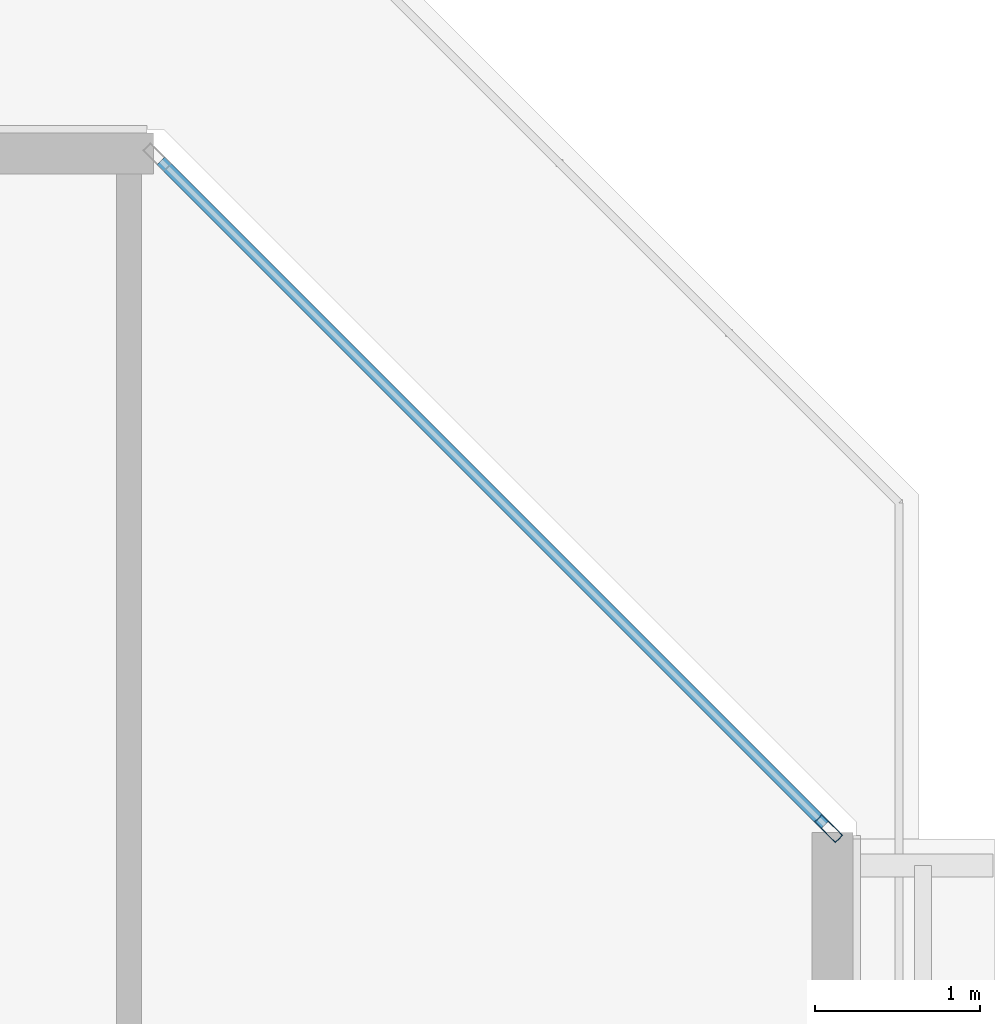
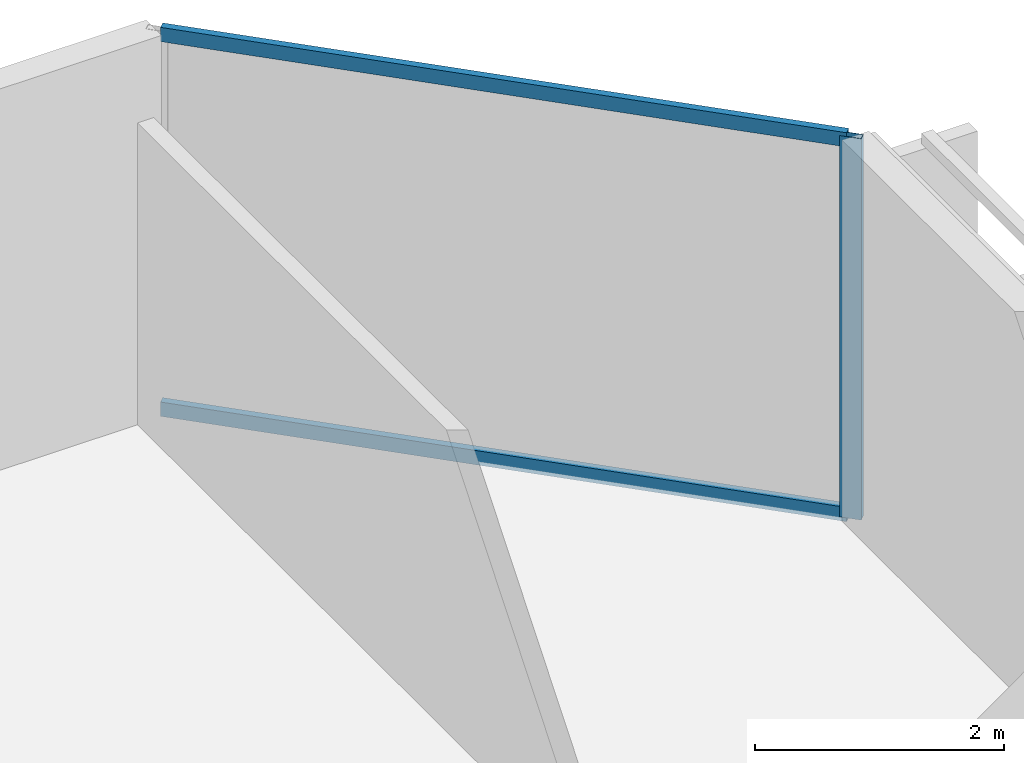
# One storey, part 24 of 38: 3 members, 1 element without a shape of its own.
"""IFC4 building model written with IfcOpenShell, lengths in metres."""

import ifcopenshell
import ifcopenshell.guid

model = None  # the IFC model being written
_history = None  # IfcOwnerHistory: only IFC2X3 demands one
_inside = {}  # id of a spatial element -> (the spatial element, [elements in it])
_under = {}  # id of a project, library or spatial element -> (it, [spatial elements below it])
_declared = {}  # id of a project -> (the project, [libraries it declares])
_typed = {}  # id of a type object -> (the type object, [elements of that type])
_made_of = {}  # id of a material, layer set ... -> (it, [elements and type objects made of it])


def new_model(schema):
    """Start an empty IFC model of exactly this schema.

    Asked for "IFC4X3", IfcOpenShell would pick the latest addendum, in which some entities
    have other attributes; the version numbers below select the first issue.
    IFC2X3 requires an IfcOwnerHistory on every rooted entity: one is made here for all.
    """
    global model, _history
    if schema == "IFC4X3":
        model = ifcopenshell.file(schema_version=(4, 3, 0, 0))
    else:
        model = ifcopenshell.file(schema=schema)
    _inside.clear()
    _under.clear()
    _declared.clear()
    _typed.clear()
    _made_of.clear()
    _history = None
    if model.schema == "IFC2X3":
        org = make("IfcOrganization", Name="unknown")
        user = make(
            "IfcPersonAndOrganization",
            ThePerson=make("IfcPerson", FamilyName="unknown"),
            TheOrganization=org,
        )
        app = make(
            "IfcApplication",
            ApplicationDeveloper=org,
            Version="unknown",
            ApplicationFullName="unknown",
            ApplicationIdentifier="unknown",
        )
        _history = make(
            "IfcOwnerHistory",
            OwningUser=user,
            OwningApplication=app,
            ChangeAction="ADDED",
            CreationDate=0,
        )
    return model


def make(cls, **values):
    """One entity of the class cls with the attributes given. An attribute that is None is left unset."""
    return model.create_entity(
        cls, **{name: value for name, value in values.items() if value is not None}
    )


def rooted(cls, **values):
    """An entity with a GlobalId (a new one), such as an element, a storey or a relation."""
    return make(cls, GlobalId=ifcopenshell.guid.new(), OwnerHistory=_history, **values)


def si_unit(unit_type, name, prefix=None):
    """IfcSIUnit, for example si_unit("LENGTHUNIT", "METRE", prefix="MILLI")."""
    return make("IfcSIUnit", UnitType=unit_type, Prefix=prefix, Name=name)


def assignment(units):
    """IfcUnitAssignment: the units of a project."""
    return None if units is None else make("IfcUnitAssignment", Units=units)


def point(xyz):
    """IfcCartesianPoint."""
    return None if xyz is None else make("IfcCartesianPoint", Coordinates=xyz)


def direction(xyz):
    """IfcDirection."""
    return None if xyz is None else make("IfcDirection", DirectionRatios=xyz)


def frame(location, z_axis=None, x_axis=None):
    """IfcAxis2Placement3D, a coordinate frame: its origin and axes. An axis left out is left unset."""
    return make(
        "IfcAxis2Placement3D",
        Location=point(location),
        Axis=direction(z_axis),
        RefDirection=direction(x_axis),
    )


def frame_2d(location, x_axis=None):
    """IfcAxis2Placement2D, a coordinate frame in the plane: its origin and x axis."""
    return make(
        "IfcAxis2Placement2D", Location=point(location), RefDirection=direction(x_axis)
    )


def origin():
    """The frame at (0, 0, 0) with its axes left unset."""
    return frame((0.0, 0.0, 0.0))


def origin_2d():
    """The frame at (0, 0) in the plane with its x axis left unset."""
    return frame_2d((0.0, 0.0))


def place(relative_to, where):
    """IfcLocalPlacement: puts the frame where relative to a parent placement (None: the world)."""
    return make(
        "IfcLocalPlacement", PlacementRelTo=relative_to, RelativePlacement=where
    )


def context(
    kind, dimensions, precision=None, world=None, true_north=None, identifier=None
):
    """IfcGeometricRepresentationContext, for example the 3D "Model" context."""
    return make(
        "IfcGeometricRepresentationContext",
        ContextIdentifier=identifier,
        ContextType=kind,
        CoordinateSpaceDimension=dimensions,
        Precision=precision,
        WorldCoordinateSystem=world,
        TrueNorth=true_north,
    )


def subcontext(parent, identifier, kind, view, scale=None):
    """IfcGeometricRepresentationSubContext, for example "Body" below "Model"."""
    return make(
        "IfcGeometricRepresentationSubContext",
        ContextIdentifier=identifier,
        ContextType=kind,
        ParentContext=parent,
        TargetScale=scale,
        TargetView=view,
    )


def project(units=None, contexts=None):
    """IfcProject with its units and contexts."""
    return rooted(
        "IfcProject",
        Name="project",
        RepresentationContexts=contexts,
        UnitsInContext=assignment(units),
    )


def spatial(cls, under=None, at=None, **own):
    """A site, building, storey or space (cls), placed at a placement, below another one or the project."""
    s = rooted(cls, ObjectPlacement=at, **own)
    if under is not None:
        _under.setdefault(under.id(), (under, []))[1].append(s)
    return s


def profile(cls, at=None, kind="AREA", **sizes):
    """A parametric profile (cls). Its sizes go by their IFC names, for example OverallWidth=200.0."""
    return make(cls, ProfileType=kind, Position=at, **sizes)


def hollow_rectangle(**sizes):
    """IfcRectangleHollowProfileDef."""
    return profile("IfcRectangleHollowProfileDef", **sizes)


def extrude(swept, where, along, depth):
    """IfcExtrudedAreaSolid: the profile swept, set in the frame where, extruded along a direction by depth."""
    return make(
        "IfcExtrudedAreaSolid",
        SweptArea=swept,
        Position=where,
        ExtrudedDirection=direction(along),
        Depth=depth,
    )


def shape(context_of_items, identifier, shape_type, items):
    """IfcShapeRepresentation: the items that make up one representation, for example the "Body"."""
    return make(
        "IfcShapeRepresentation",
        ContextOfItems=context_of_items,
        RepresentationIdentifier=identifier,
        RepresentationType=shape_type,
        Items=items,
    )


def material(Name=None, Category=None):
    """IfcMaterial."""
    return make("IfcMaterial", Name=Name, Category=Category)


def layer(
    of_material, thickness, ventilated=None, Name=None, Category=None, Priority=None
):
    """IfcMaterialLayer: one layer of a wall or slab, of a material (None: an air gap)."""
    return make(
        "IfcMaterialLayer",
        Material=of_material,
        LayerThickness=thickness,
        IsVentilated=ventilated,
        Name=Name,
        Category=Category,
        Priority=Priority,
    )


def layer_set(layers, Name=None):
    """IfcMaterialLayerSet."""
    return make("IfcMaterialLayerSet", MaterialLayers=layers, LayerSetName=Name)


def material_profile(
    of_material, cross_section, Name=None, Category=None, Priority=None
):
    """IfcMaterialProfile: a cross section and its material."""
    return make(
        "IfcMaterialProfile",
        Name=Name,
        Material=of_material,
        Profile=cross_section,
        Priority=Priority,
        Category=Category,
    )


def profile_set(profiles, Name=None, composite=None):
    """IfcMaterialProfileSet."""
    return make(
        "IfcMaterialProfileSet",
        Name=Name,
        MaterialProfiles=profiles,
        CompositeProfile=composite,
    )


def made_of(thing, what):
    """Note that an element or type object is made of a material, layer set ...; save() writes the relation."""
    if what is not None:
        _made_of.setdefault(what.id(), (what, []))[1].append(thing)
    return thing


def type_object(cls, material=None, **own):
    """A type object (cls), such as IfcWallType, which elements share."""
    return made_of(rooted(cls, **own), material)


def element(
    cls,
    number,
    at=None,
    inside=None,
    cuts=None,
    type_object=None,
    material=None,
    context=None,
    identifier="Body",
    shape_type=None,
    held_by="IfcProductDefinitionShape",
    body=None,
    shapes=None,
    **own,
):
    """One element of the class cls, such as IfcWall. Its Tag is "e" and its number.

    at: its placement. inside: the storey or other place that contains it. cuts: it is an
    opening in that element (IfcRelVoidsElement). A single representation is given by context,
    identifier, shape_type and body (its items); several are given by shapes. held_by: the class
    of the entity that holds the representations. save() writes the other relations.
    """
    e = rooted(cls, Tag="e%d" % number, ObjectPlacement=at, **own)
    if body is not None:
        shapes = [shape(context, identifier, shape_type, body)]
    if shapes is not None:
        e.Representation = make(held_by, Representations=shapes)
    if inside is not None:
        _inside.setdefault(inside.id(), (inside, []))[1].append(e)
    if cuts is not None:
        rooted(
            "IfcRelVoidsElement", RelatingBuildingElement=cuts, RelatedOpeningElement=e
        )
    if type_object is not None:
        _typed.setdefault(type_object.id(), (type_object, []))[1].append(e)
    return made_of(e, material)


def aggregate(whole, parts):
    """IfcRelAggregates: a whole, such as a stair, and the parts it consists of."""
    return rooted("IfcRelAggregates", RelatingObject=whole, RelatedObjects=parts)


def save(model, path):
    """Write the relations noted so far, then the file.

    IfcRelAggregates (storeys below a building ...), IfcRelContainedInSpatialStructure (elements
    in a storey), IfcRelDefinesByType, IfcRelAssociatesMaterial and IfcRelDeclares: one each for
    every whole, place, type object, material and project.
    """
    for whole, parts in _under.values():
        aggregate(whole, parts)
    for where, things in _inside.values():
        rooted(
            "IfcRelContainedInSpatialStructure",
            RelatedElements=things,
            RelatingStructure=where,
        )
    for kind, things in _typed.values():
        rooted("IfcRelDefinesByType", RelatedObjects=things, RelatingType=kind)
    for what, things in _made_of.values():
        rooted("IfcRelAssociatesMaterial", RelatedObjects=things, RelatingMaterial=what)
    for by, libraries in _declared.values():
        rooted("IfcRelDeclares", RelatingContext=by, RelatedDefinitions=libraries)
    model.write(path)


model = new_model("IFC4")

# Units and contexts
model_context = context("Model", 3, precision=1e-05, world=origin(), true_north=direction((0.0, 1.0)))
body_context = subcontext(model_context, "Body", "Model", "MODEL_VIEW")
ifc_project = project(units=[si_unit("LENGTHUNIT", "METRE"), si_unit("AREAUNIT", "SQUARE_METRE"), si_unit("VOLUMEUNIT", "CUBIC_METRE"), si_unit("PLANEANGLEUNIT", "RADIAN"), si_unit("MASSUNIT", "GRAM", prefix="KILO")], contexts=[model_context])

# Site, building, storey
site_placement = place(None, origin())
site = spatial("IfcSite", under=ifc_project, at=site_placement, CompositionType="ELEMENT")
building_placement = place(site_placement, origin())
building = spatial("IfcBuilding", under=site, at=building_placement, Name="Tanjung Sevakor Pilgrim Tower", CompositionType="ELEMENT")
storey_placement = place(building_placement, frame((0.0, 0.0, 78.2099609375)))
storey = spatial("IfcBuildingStorey", under=building, at=storey_placement, Name="L21", CompositionType="ELEMENT", Elevation=78.2099609375)

# Curtain wall, members
ifc_material_1 = material(Name="Aluminium 6063-T6 and Low-E Glass", Category="aluminium")
ifc_layer = layer(ifc_material_1, 0.179931640625)
ifc_layer_set = layer_set([ifc_layer], Name="CW-SYS-CHAM")
curtain_wall_type = type_object("IfcCurtainWallType", Name="CW-SYS-CHAM", PredefinedType="NOTDEFINED", material=ifc_layer_set)
curtain_wall_placement = place(storey_placement, origin())
curtain_wall = element("IfcCurtainWall", 1, at=curtain_wall_placement, inside=storey, type_object=curtain_wall_type, Name="L21 Curtain Wall CW-CHM-L21-MAIN-7", PredefinedType="NOTDEFINED")
ifc_material_2 = material(Name="Aluminium 6063-T6", Category="aluminium")
ifc_material_profile_1 = material_profile(ifc_material_2, hollow_rectangle(XDim=0.06494140625, YDim=0.179931640625, WallThickness=0.00390625, at=origin_2d()))
ifc_profile_set_1 = profile_set([ifc_material_profile_1], Name="Aluminium 6063-T6")
member_type_1 = type_object("IfcMemberType", Name="TYPE-CWM-1", PredefinedType="MULLION", material=ifc_profile_set_1)
member_1_placement = place(storey_placement, frame((100.251953125, 53.37109375, 0.0), z_axis=(0.0, 0.0, 1.0), x_axis=(-0.707106781187, -0.707106781187, 0.0)))
member_1 = element("IfcMember", 2, at=member_1_placement, type_object=member_type_1, Name="CW-CHM mullion 1", PredefinedType="MULLION", context=body_context, shape_type="SweptSolid", body=[
    extrude(hollow_rectangle(XDim=0.06494140625, YDim=0.179931640625, WallThickness=0.00390625, at=origin_2d()), origin(), (0.0, 0.0, 1.0), 3.739990234375),
])
ifc_material_3 = material(Name="Aluminium 6063-T6", Category="aluminium")
ifc_material_profile_2 = material_profile(ifc_material_3, hollow_rectangle(XDim=0.06494140625, YDim=0.139892578125, WallThickness=0.00390625, at=origin_2d()))
ifc_profile_set_2 = profile_set([ifc_material_profile_2], Name="Aluminium 6063-T6")
member_type_2 = type_object("IfcMemberType", Name="TYPE-CWT-1", PredefinedType="USERDEFINED", material=ifc_profile_set_2)
member_2_placement = place(storey_placement, frame((100.22900390625, 53.39404296875, 0.032470703125), z_axis=(-0.707106781187, 0.707106781187, 0.0), x_axis=(-0.707106781187, -0.707106781187, 0.0)))
member_2 = element("IfcMember", 3, at=member_2_placement, type_object=member_type_2, Name="CW-CHM transom 1.1", ObjectType="TRANSOM", PredefinedType="USERDEFINED", context=body_context, shape_type="SweptSolid", body=[
    extrude(hollow_rectangle(XDim=0.06494140625, YDim=0.139892578125, WallThickness=0.00390625, at=origin_2d()), origin(), (0.0, 0.0, 1.0), 5.706298828125),
])
member_3_placement = place(storey_placement, frame((100.22900390625, 53.39404296875, 3.70751953125), z_axis=(-0.707106781187, 0.707106781187, 0.0), x_axis=(-0.707106781187, -0.707106781187, 0.0)))
member_3 = element("IfcMember", 4, at=member_3_placement, type_object=member_type_2, Name="CW-CHM transom 1.2", ObjectType="TRANSOM", PredefinedType="USERDEFINED", context=body_context, shape_type="SweptSolid", body=[
    extrude(hollow_rectangle(XDim=0.06494140625, YDim=0.139892578125, WallThickness=0.00390625, at=origin_2d()), origin(), (0.0, 0.0, 1.0), 5.706298828125),
])
aggregate(curtain_wall, [member_1, member_2, member_3])

save(model, "model.ifc")
